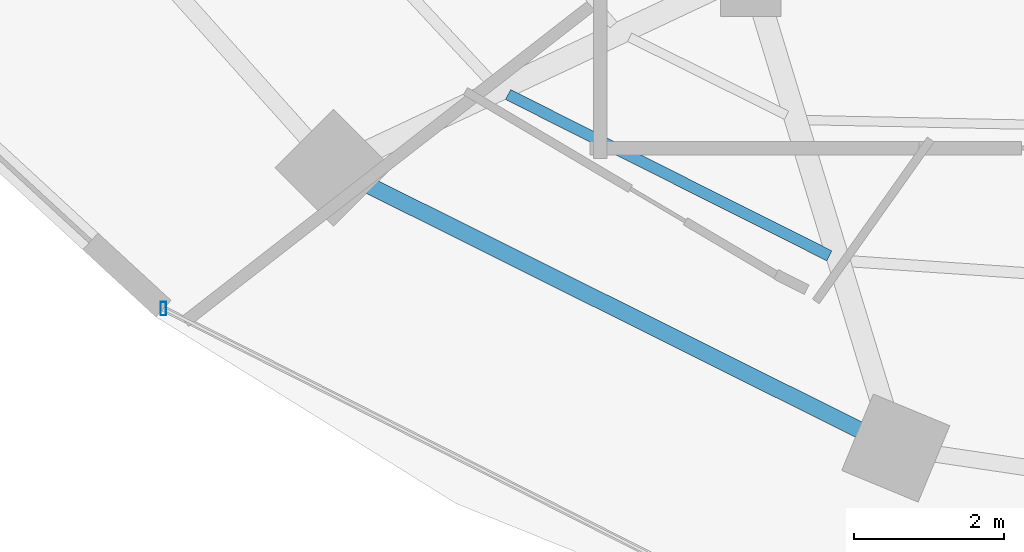
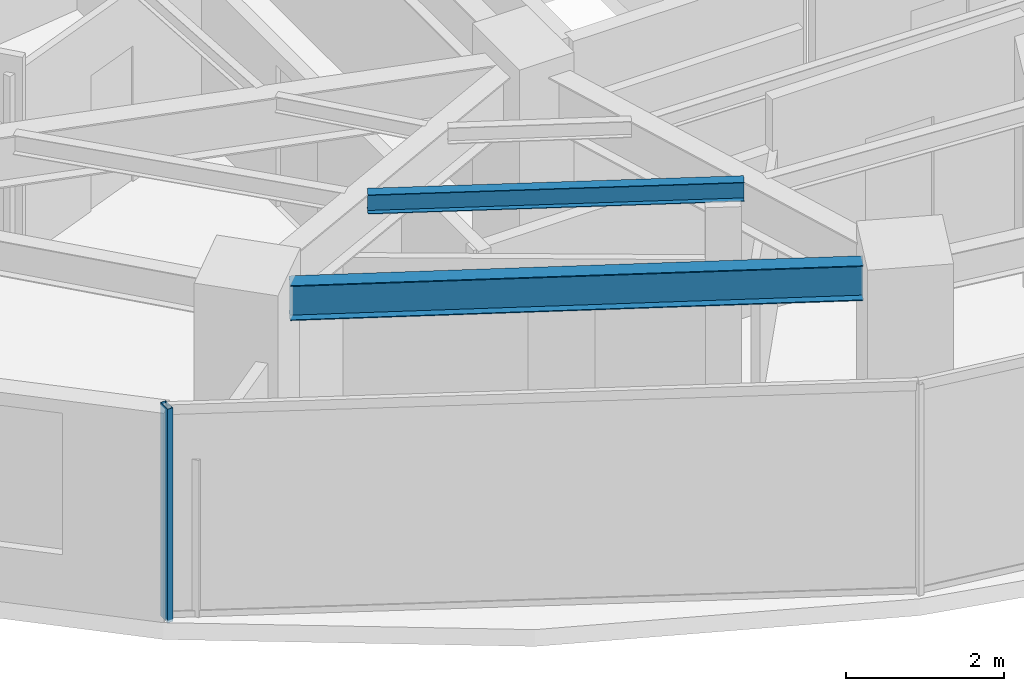
# One storey, part 2 of 30: 2 beams, 1 member, 1 element without a shape of its own.
"""IFC4 building model written with IfcOpenShell, lengths in metres."""

from ifc_helpers import new_model, si_unit, direction, frame, origin, origin_2d, place, context, subcontext, project, spatial, hollow_rectangle, i_section, extrude, material, material_profile, profile_set, type_object, element, aggregate, save


model = new_model("IFC4")

# Units and contexts
model_context = context("Model", 3, precision=1e-05, world=origin(), true_north=direction((0.0, 1.0)))
body_context = subcontext(model_context, "Body", "Model", "MODEL_VIEW")
ifc_project = project(units=[si_unit("LENGTHUNIT", "METRE"), si_unit("AREAUNIT", "SQUARE_METRE"), si_unit("VOLUMEUNIT", "CUBIC_METRE"), si_unit("PLANEANGLEUNIT", "RADIAN"), si_unit("MASSUNIT", "GRAM", prefix="KILO")], contexts=[model_context])

# Site, building, storey
site_placement = place(None, origin())
site = spatial("IfcSite", under=ifc_project, at=site_placement, CompositionType="ELEMENT")
building_placement = place(site_placement, origin())
building = spatial("IfcBuilding", under=site, at=building_placement, Name="Vorneva Point Tower", CompositionType="ELEMENT")
storey_placement = place(building_placement, frame((0.0, 0.0, 89.300048828125)))
storey = spatial("IfcBuildingStorey", under=building, at=storey_placement, Name="L23", CompositionType="ELEMENT", Elevation=89.300048828125)

# Beams
ifc_material_1 = material(Name="Steel S355", Category="steel")
ifc_material_profile_1 = material_profile(ifc_material_1, i_section(OverallWidth=0.14892578125, OverallDepth=0.298095703125, WebThickness=0.005615234375, FlangeThickness=0.008056640625, at=origin_2d()), Name="30B1")
ifc_profile_set_1 = profile_set([ifc_material_profile_1], Name="Steel S355")
beam_type_1 = type_object("IfcBeamType", Name="BM-JST-30B1", PredefinedType="JOIST", material=ifc_profile_set_1)
beam_1_placement = place(storey_placement, frame((24.02294921875, 14.810791015625, 3.091064453125), z_axis=(0.89376245769, -0.448540599304, 0.0), x_axis=(0.448540599304, 0.89376245769, 0.0)))
element("IfcBeam", 1, at=beam_1_placement, inside=storey, type_object=beam_type_1, Name="L23 Secondary Floor Beam 1.11", PredefinedType="JOIST", context=body_context, shape_type="SweptSolid", body=[
    extrude(i_section(OverallWidth=0.14892578125, OverallDepth=0.298095703125, WebThickness=0.005615234375, FlangeThickness=0.008056640625, at=origin_2d()), origin(), (0.0, 0.0, 1.0), 4.78173828125),
])
ifc_material_profile_2 = material_profile(ifc_material_1, i_section(OverallWidth=0.219970703125, OverallDepth=0.54296875, WebThickness=0.009521484375, FlangeThickness=0.013427734375, at=origin_2d()), Name="55B1")
ifc_profile_set_2 = profile_set([ifc_material_profile_2], Name="Steel S355")
beam_type_2 = type_object("IfcBeamType", Name="BM-SPN-55B1", PredefinedType="SPANDREL", material=ifc_profile_set_2)
beam_2_placement = place(storey_placement, frame((22.179931640625, 13.59912109375, 2.968505859375), z_axis=(0.894915882304, -0.446234874926, 0.0), x_axis=(0.446234874926, 0.894915882304, 0.0)))
element("IfcBeam", 2, at=beam_2_placement, inside=storey, type_object=beam_type_2, Name="L23 Perimeter Spandrel Ring Beam 11", PredefinedType="SPANDREL", context=body_context, shape_type="SweptSolid", body=[
    extrude(i_section(OverallWidth=0.219970703125, OverallDepth=0.54296875, WebThickness=0.009521484375, FlangeThickness=0.013427734375, at=origin_2d()), origin(), (0.0, 0.0, 1.0), 7.285888671875),
])

# Curtain wall, member
ifc_material_2 = material(Name="Pale anodised aluminium", Category="aluminium")
curtain_wall_type = type_object("IfcCurtainWallType", Name="CW-HTL-SYS", PredefinedType="NOTDEFINED", material=ifc_material_2)
curtain_wall_placement = place(storey_placement, origin())
curtain_wall = element("IfcCurtainWall", 3, at=curtain_wall_placement, inside=storey, type_object=curtain_wall_type, Name="L23 Unitised Curtain Wall CW-L23-R04", PredefinedType="NOTDEFINED")
ifc_material_profile_3 = material_profile(ifc_material_2, hollow_rectangle(XDim=0.074951171875, YDim=0.179931640625, WallThickness=0.00390625, at=origin_2d()), Name="AL-MUL 180x75x4")
ifc_profile_set_3 = profile_set([ifc_material_profile_3], Name="Pale anodised aluminium")
member_type = type_object("IfcMemberType", Name="CW-MUL-180", PredefinedType="MULLION", material=ifc_profile_set_3)
member_placement = place(storey_placement, frame((19.4384765625, 11.9638671875, -0.0400390625), z_axis=(0.0, 0.0, 1.0), x_axis=(1.0, 0.0, 0.0)))
member = element("IfcMember", 4, at=member_placement, type_object=member_type, Name="CW-L23-R04 Mullion 01", PredefinedType="MULLION", context=body_context, shape_type="SweptSolid", body=[
    extrude(hollow_rectangle(XDim=0.074951171875, YDim=0.179931640625, WallThickness=0.00390625, at=origin_2d()), origin(), (0.0, 0.0, 1.0), 3.31005859375),
])
aggregate(curtain_wall, [member])

save(model, "model.ifc")
